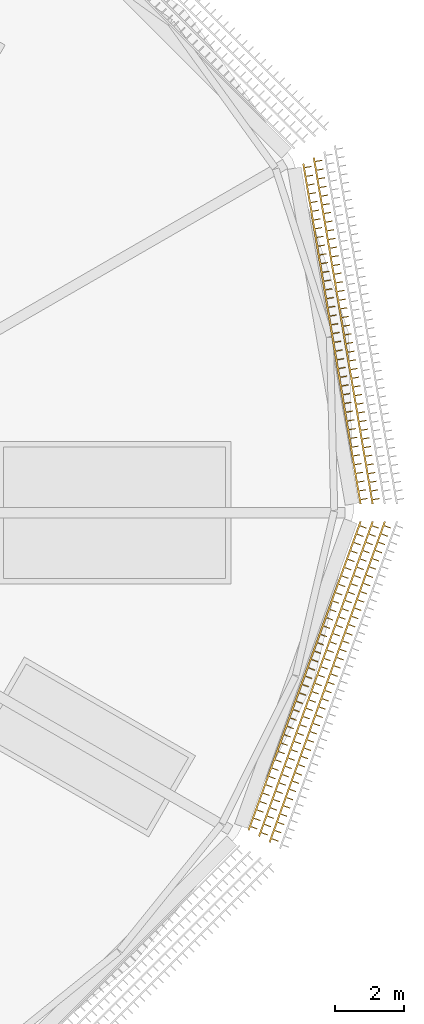
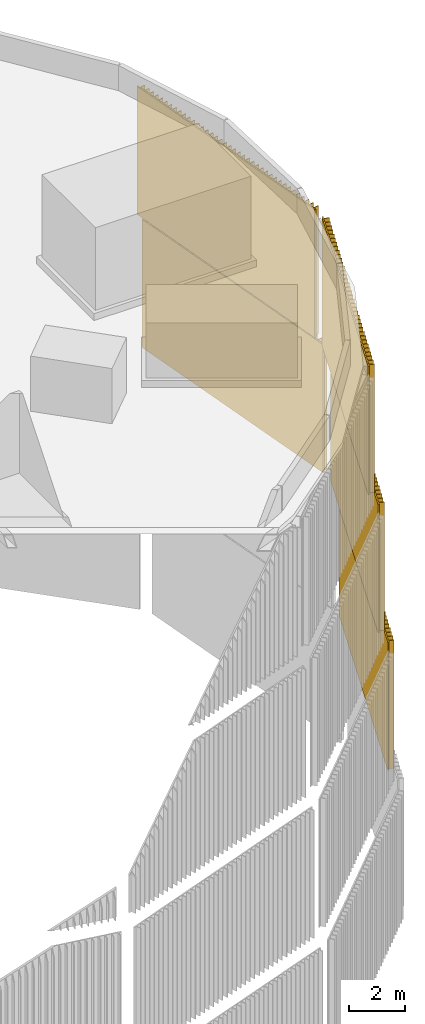
# One storey, part 18 of 24: 5 coverings.
"""IFC4 building model written with IfcOpenShell, lengths in metres."""

from ifc_helpers import new_model, si_unit, direction, frame, origin, place, context, subcontext, project, spatial, polyline, outline, extrude, material, type_object, element, save


model = new_model("IFC4")

# Units and contexts
model_context = context("Model", 3, precision=1e-05, world=origin(), true_north=direction((0.0, 1.0)))
body_context = subcontext(model_context, "Body", "Model", "MODEL_VIEW")
ifc_project = project(units=[si_unit("LENGTHUNIT", "METRE"), si_unit("AREAUNIT", "SQUARE_METRE"), si_unit("VOLUMEUNIT", "CUBIC_METRE"), si_unit("PLANEANGLEUNIT", "RADIAN"), si_unit("MASSUNIT", "GRAM", prefix="KILO")], contexts=[model_context])

# Site, building, storey
site_placement = place(None, origin())
site = spatial("IfcSite", under=ifc_project, at=site_placement, CompositionType="ELEMENT")
building_placement = place(site_placement, origin())
building = spatial("IfcBuilding", under=site, at=building_placement, Name="Rimbun Link Towers", CompositionType="ELEMENT")
storey_placement = place(building_placement, frame((0.0, 0.0, 294.89990234375)))
storey = spatial("IfcBuildingStorey", under=building, at=storey_placement, Name="Roof cap", CompositionType="ELEMENT", Elevation=294.89990234375)

# Coverings
ifc_material = material(Name="Terracotta", Category="masonry")
covering_type = type_object("IfcCoveringType", Name="TERRACOTTA CLADDING screen fins", PredefinedType="CLADDING", material=ifc_material)
covering_1_placement = place(storey_placement, frame((0.0, 0.0, -17.087890625)))
element("IfcCovering", 1, at=covering_1_placement, inside=storey, type_object=covering_type, Name="TERRACOTTA CLADDING screen", PredefinedType="CLADDING", context=body_context, shape_type="SweptSolid", body=[
    extrude(outline(polyline([(48.739990234375, -9.515869140625), (48.777587890625, -9.411376953125), (48.9658203125, -9.47900390625), (48.97607421875, -9.45068359375), (48.787841796875, -9.383056640625), (48.863037109375, -9.173828125), (49.05126953125, -9.241455078125), (49.061279296875, -9.213134765625), (48.873046875, -9.1455078125), (48.9482421875, -8.936279296875), (49.13671875, -9.00390625), (49.146728515625, -8.9755859375), (48.95849609375, -8.908203125), (49.03369140625, -8.698974609375), (49.221923828125, -8.7666015625), (49.232177734375, -8.73828125), (49.043701171875, -8.670654296875), (49.118896484375, -8.46142578125), (49.307373046875, -8.529052734375), (49.3173828125, -8.500732421875), (49.129150390625, -8.43310546875), (49.204345703125, -8.223876953125), (49.392578125, -8.29150390625), (49.40283203125, -8.26318359375), (49.214599609375, -8.195556640625), (49.289794921875, -7.986328125), (49.47802734375, -8.053955078125), (49.488037109375, -8.02587890625), (49.2998046875, -7.958251953125), (49.375, -7.748779296875), (49.563232421875, -7.81640625), (49.573486328125, -7.788330078125), (49.38525390625, -7.720703125), (49.46044921875, -7.511474609375), (49.648681640625, -7.5791015625), (49.65869140625, -7.55078125), (49.470703125, -7.483154296875), (49.5458984375, -7.27392578125), (49.73388671875, -7.341552734375), (49.744140625, -7.313232421875), (49.555908203125, -7.24560546875), (49.631103515625, -7.03662109375), (49.8193359375, -7.10400390625), (49.82958984375, -7.075927734375), (49.641357421875, -7.00830078125), (49.716552734375, -6.799072265625), (49.90478515625, -6.86669921875), (49.914794921875, -6.83837890625), (49.7265625, -6.770751953125), (49.8017578125, -6.5615234375), (49.989990234375, -6.629150390625), (50.000244140625, -6.600830078125), (49.81201171875, -6.533203125), (49.88720703125, -6.323974609375), (50.075439453125, -6.3916015625), (50.08544921875, -6.36328125), (49.897216796875, -6.2958984375), (49.972412109375, -6.08642578125), (50.16064453125, -6.154296875), (50.1708984375, -6.1259765625), (49.982666015625, -6.058349609375), (50.057861328125, -5.84912109375), (50.24609375, -5.916748046875), (50.256103515625, -5.888427734375), (50.068115234375, -5.82080078125), (50.143310546875, -5.611572265625), (50.331298828125, -5.67919921875), (50.341552734375, -5.65087890625), (50.1533203125, -5.583251953125), (50.228515625, -5.3740234375), (50.416748046875, -5.441650390625), (50.427001953125, -5.41357421875), (50.23876953125, -5.345703125), (50.31396484375, -5.13671875), (50.502197265625, -5.2041015625), (50.51220703125, -5.176025390625), (50.32421875, -5.1083984375), (50.3994140625, -4.899169921875), (50.58740234375, -4.966796875), (50.59765625, -4.9384765625), (50.409423828125, -4.870849609375), (50.484619140625, -4.66162109375), (50.6728515625, -4.729248046875), (50.68310546875, -4.700927734375), (50.494873046875, -4.63330078125), (50.570068359375, -4.424072265625), (50.75830078125, -4.49169921875), (50.768310546875, -4.46337890625), (50.580078125, -4.39599609375), (50.6552734375, -4.1865234375), (50.843505859375, -4.25439453125), (50.853759765625, -4.22607421875), (50.66552734375, -4.158447265625), (50.74072265625, -3.94921875), (50.928955078125, -4.016845703125), (50.93896484375, -3.988525390625), (50.750732421875, -3.9208984375), (50.825927734375, -3.711669921875), (51.01416015625, -3.779296875), (51.0244140625, -3.751220703125), (50.836181640625, -3.683349609375), (50.911376953125, -3.47412109375), (51.099609375, -3.541748046875), (51.109619140625, -3.513671875), (50.92138671875, -3.44580078125), (50.99658203125, -3.23681640625), (51.184814453125, -3.30419921875), (51.195068359375, -3.276123046875), (51.0068359375, -3.20849609375), (51.08203125, -2.999267578125), (51.270263671875, -3.06689453125), (51.280517578125, -3.03857421875), (51.09228515625, -2.970947265625), (51.16748046875, -2.76171875), (51.355712890625, -2.829345703125), (51.36572265625, -2.801025390625), (51.177490234375, -2.7333984375), (51.252685546875, -2.524169921875), (51.44091796875, -2.591796875), (51.451171875, -2.563720703125), (51.262939453125, -2.49609375), (51.338134765625, -2.28662109375), (51.5263671875, -2.3544921875), (51.53662109375, -2.326171875), (51.34814453125, -2.258544921875), (51.42333984375, -2.04931640625), (51.61181640625, -2.116943359375), (51.621826171875, -2.088623046875), (51.43359375, -2.02099609375), (51.5087890625, -1.811767578125), (51.697021484375, -1.87939453125), (51.707275390625, -1.851318359375), (51.518798828125, -1.783447265625), (51.593994140625, -1.57421875), (51.782470703125, -1.641845703125), (51.79248046875, -1.61376953125), (51.604248046875, -1.546142578125), (51.679443359375, -1.3369140625), (51.86767578125, -1.404296875), (51.8779296875, -1.376220703125), (51.689697265625, -1.30859375), (51.764892578125, -1.099365234375), (51.953125, -1.1669921875), (51.963134765625, -1.138671875), (51.77490234375, -1.071044921875), (51.85009765625, -0.86181640625), (52.038330078125, -0.929443359375), (52.048583984375, -0.901123046875), (51.8603515625, -0.83349609375), (51.935546875, -0.624267578125), (52.123779296875, -0.69189453125), (52.1337890625, -0.663818359375), (51.94580078125, -0.59619140625), (52.02099609375, -0.386962890625), (52.208984375, -0.45458984375), (52.21923828125, -0.42626953125), (52.031005859375, -0.358642578125), (52.068603515625, -0.25390625), (52.015380859375, -0.25390625), (48.696044921875, -9.490478515625), (48.739990234375, -9.515869140625)])), origin(), (0.0, 0.0, 1.0), 5.575927734375),
])
covering_2_placement = place(storey_placement, frame((0.0, 0.0, -11.087890625)))
element("IfcCovering", 2, at=covering_2_placement, inside=storey, type_object=covering_type, Name="TERRACOTTA CLADDING screen", PredefinedType="CLADDING", context=body_context, shape_type="SweptSolid", body=[
    extrude(outline(polyline([(48.43701171875, -9.3408203125), (48.47509765625, -9.235595703125), (48.6630859375, -9.303466796875), (48.67333984375, -9.275146484375), (48.485107421875, -9.207275390625), (48.561279296875, -8.996337890625), (48.74951171875, -9.064208984375), (48.759765625, -9.0361328125), (48.571533203125, -8.968017578125), (48.647705078125, -8.757080078125), (48.8359375, -8.8251953125), (48.845947265625, -8.796875), (48.657958984375, -8.72900390625), (48.734130859375, -8.51806640625), (48.922119140625, -8.5859375), (48.932373046875, -8.557861328125), (48.744384765625, -8.489990234375), (48.820556640625, -8.279052734375), (49.008544921875, -8.346923828125), (49.018798828125, -8.318603515625), (48.830810546875, -8.250732421875), (48.90673828125, -8.039794921875), (49.094970703125, -8.10791015625), (49.10498046875, -8.07958984375), (48.9169921875, -8.01171875), (48.9931640625, -7.80078125), (49.181396484375, -7.86865234375), (49.19140625, -7.84033203125), (49.00341796875, -7.7724609375), (49.07958984375, -7.5615234375), (49.267578125, -7.62939453125), (49.27783203125, -7.601318359375), (49.089599609375, -7.533203125), (49.166015625, -7.322509765625), (49.35400390625, -7.390380859375), (49.3642578125, -7.3623046875), (49.176025390625, -7.294189453125), (49.252197265625, -7.083251953125), (49.4404296875, -7.151123046875), (49.45068359375, -7.123046875), (49.262451171875, -7.05517578125), (49.338623046875, -6.84423828125), (49.526611328125, -6.912109375), (49.536865234375, -6.8837890625), (49.348876953125, -6.81591796875), (49.425048828125, -6.60498046875), (49.613037109375, -6.673095703125), (49.623291015625, -6.644775390625), (49.435302734375, -6.576904296875), (49.511474609375, -6.365966796875), (49.699462890625, -6.433837890625), (49.709716796875, -6.405517578125), (49.521484375, -6.337646484375), (49.59765625, -6.126708984375), (49.785888671875, -6.194580078125), (49.7958984375, -6.16650390625), (49.60791015625, -6.0986328125), (49.68408203125, -5.8876953125), (49.872314453125, -5.95556640625), (49.88232421875, -5.927490234375), (49.6943359375, -5.859375), (49.7705078125, -5.6484375), (49.95849609375, -5.716552734375), (49.96875, -5.688232421875), (49.780517578125, -5.620361328125), (49.856689453125, -5.409423828125), (50.044921875, -5.477294921875), (50.05517578125, -5.44921875), (49.866943359375, -5.381103515625), (49.943115234375, -5.17041015625), (50.13134765625, -5.23828125), (50.1416015625, -5.2099609375), (49.953369140625, -5.14208984375), (50.029541015625, -4.93115234375), (50.217529296875, -4.9990234375), (50.227783203125, -4.970947265625), (50.039794921875, -4.90283203125), (50.115966796875, -4.69189453125), (50.303955078125, -4.760009765625), (50.314208984375, -4.731689453125), (50.126220703125, -4.663818359375), (50.2021484375, -4.452880859375), (50.390380859375, -4.520751953125), (50.400390625, -4.49267578125), (50.21240234375, -4.4248046875), (50.28857421875, -4.213623046875), (50.476806640625, -4.28173828125), (50.48681640625, -4.25341796875), (50.298828125, -4.185546875), (50.375, -3.974609375), (50.56298828125, -4.04248046875), (50.5732421875, -4.014404296875), (50.38525390625, -3.9462890625), (50.461181640625, -3.735595703125), (50.6494140625, -3.803466796875), (50.65966796875, -3.775146484375), (50.471435546875, -3.707275390625), (50.547607421875, -3.496337890625), (50.73583984375, -3.564208984375), (50.74609375, -3.5361328125), (50.557861328125, -3.468017578125), (50.634033203125, -3.257080078125), (50.822265625, -3.3251953125), (50.83251953125, -3.296875), (50.644287109375, -3.22900390625), (50.720458984375, -3.01806640625), (50.908447265625, -3.0859375), (50.918701171875, -3.057861328125), (50.730712890625, -2.989990234375), (50.806884765625, -2.779052734375), (50.994873046875, -2.846923828125), (51.005126953125, -2.818603515625), (50.81689453125, -2.750732421875), (50.89306640625, -2.539794921875), (51.081298828125, -2.60791015625), (51.09130859375, -2.57958984375), (50.9033203125, -2.51171875), (50.9794921875, -2.30078125), (51.16748046875, -2.36865234375), (51.177734375, -2.34033203125), (50.98974609375, -2.2724609375), (51.06591796875, -2.0615234375), (51.25390625, -2.12939453125), (51.26416015625, -2.101318359375), (51.075927734375, -2.033447265625), (51.152099609375, -1.822509765625), (51.34033203125, -1.890380859375), (51.3505859375, -1.8623046875), (51.162353515625, -1.794189453125), (51.238525390625, -1.583251953125), (51.4267578125, -1.6513671875), (51.43701171875, -1.623046875), (51.248779296875, -1.55517578125), (51.324951171875, -1.34423828125), (51.512939453125, -1.412109375), (51.523193359375, -1.3837890625), (51.335205078125, -1.31591796875), (51.411376953125, -1.10498046875), (51.599365234375, -1.173095703125), (51.609619140625, -1.144775390625), (51.42138671875, -1.076904296875), (51.497802734375, -0.865966796875), (51.685791015625, -0.933837890625), (51.696044921875, -0.90576171875), (51.5078125, -0.837646484375), (51.583984375, -0.626708984375), (51.772216796875, -0.694580078125), (51.7822265625, -0.66650390625), (51.59423828125, -0.5986328125), (51.67041015625, -0.3876953125), (51.8583984375, -0.45556640625), (51.86865234375, -0.427490234375), (51.6806640625, -0.359619140625), (51.71875, -0.25390625), (51.66552734375, -0.25390625), (48.39306640625, -9.3154296875), (48.43701171875, -9.3408203125)])), origin(), (0.0, 0.0, 1.0), 5.575927734375),
])
covering_3_placement = place(storey_placement, frame((0.0, 0.0, -11.087890625)))
element("IfcCovering", 3, at=covering_3_placement, inside=storey, type_object=covering_type, Name="TERRACOTTA CLADDING screen", PredefinedType="CLADDING", context=body_context, shape_type="SweptSolid", body=[
    extrude(outline(polyline([(51.71630859375, 0.25390625), (51.697509765625, 0.3642578125), (51.894775390625, 0.397705078125), (51.8896484375, 0.42724609375), (51.6923828125, 0.393798828125), (51.655029296875, 0.6142578125), (51.852294921875, 0.647705078125), (51.84716796875, 0.67724609375), (51.64990234375, 0.643798828125), (51.612548828125, 0.8642578125), (51.809814453125, 0.897705078125), (51.8046875, 0.92724609375), (51.607421875, 0.893798828125), (51.570068359375, 1.1142578125), (51.767333984375, 1.147705078125), (51.76220703125, 1.17724609375), (51.565185546875, 1.143798828125), (51.527587890625, 1.3642578125), (51.724853515625, 1.397705078125), (51.7197265625, 1.42724609375), (51.522705078125, 1.393798828125), (51.485107421875, 1.6142578125), (51.682373046875, 1.647705078125), (51.67724609375, 1.67724609375), (51.480224609375, 1.643798828125), (51.442626953125, 1.864013671875), (51.639892578125, 1.897705078125), (51.635009765625, 1.92724609375), (51.437744140625, 1.893798828125), (51.400390625, 2.114013671875), (51.597412109375, 2.147705078125), (51.59228515625, 2.17724609375), (51.395263671875, 2.143798828125), (51.35791015625, 2.364013671875), (51.554931640625, 2.397705078125), (51.550048828125, 2.42724609375), (51.352783203125, 2.393798828125), (51.315185546875, 2.614013671875), (51.512451171875, 2.647705078125), (51.507568359375, 2.67724609375), (51.310302734375, 2.643798828125), (51.27294921875, 2.864013671875), (51.47021484375, 2.897705078125), (51.465087890625, 2.92724609375), (51.267822265625, 2.893798828125), (51.23046875, 3.114013671875), (51.427490234375, 3.147705078125), (51.422607421875, 3.17724609375), (51.225341796875, 3.143798828125), (51.18798828125, 3.364013671875), (51.385009765625, 3.397705078125), (51.380126953125, 3.42724609375), (51.182861328125, 3.393798828125), (51.1455078125, 3.614013671875), (51.3427734375, 3.647705078125), (51.337646484375, 3.677001953125), (51.140380859375, 3.643798828125), (51.10302734375, 3.864013671875), (51.30029296875, 3.897705078125), (51.295166015625, 3.927001953125), (51.097900390625, 3.8935546875), (51.060546875, 4.114013671875), (51.2578125, 4.1474609375), (51.252685546875, 4.177001953125), (51.055419921875, 4.1435546875), (51.01806640625, 4.364013671875), (51.21533203125, 4.3974609375), (51.210205078125, 4.427001953125), (51.01318359375, 4.3935546875), (50.9755859375, 4.614013671875), (51.1728515625, 4.6474609375), (51.167724609375, 4.677001953125), (50.970703125, 4.6435546875), (50.93310546875, 4.864013671875), (51.13037109375, 4.8974609375), (51.125244140625, 4.927001953125), (50.92822265625, 4.8935546875), (50.890625, 5.114013671875), (51.087890625, 5.1474609375), (51.0830078125, 5.177001953125), (50.8857421875, 5.1435546875), (50.848388671875, 5.364013671875), (51.04541015625, 5.3974609375), (51.040283203125, 5.427001953125), (50.84326171875, 5.3935546875), (50.805908203125, 5.614013671875), (51.0029296875, 5.6474609375), (50.997802734375, 5.677001953125), (50.80078125, 5.6435546875), (50.76318359375, 5.864013671875), (50.96044921875, 5.8974609375), (50.95556640625, 5.927001953125), (50.75830078125, 5.8935546875), (50.720947265625, 6.114013671875), (50.91796875, 6.1474609375), (50.9130859375, 6.177001953125), (50.7158203125, 6.1435546875), (50.678466796875, 6.364013671875), (50.87548828125, 6.3974609375), (50.87060546875, 6.427001953125), (50.67333984375, 6.3935546875), (50.635986328125, 6.614013671875), (50.8330078125, 6.6474609375), (50.828125, 6.677001953125), (50.630859375, 6.6435546875), (50.593505859375, 6.864013671875), (50.790771484375, 6.8974609375), (50.78564453125, 6.927001953125), (50.58837890625, 6.8935546875), (50.551025390625, 7.114013671875), (50.748291015625, 7.1474609375), (50.7431640625, 7.177001953125), (50.5458984375, 7.1435546875), (50.508544921875, 7.364013671875), (50.705810546875, 7.3974609375), (50.70068359375, 7.427001953125), (50.50341796875, 7.3935546875), (50.466064453125, 7.614013671875), (50.663330078125, 7.6474609375), (50.658203125, 7.677001953125), (50.461181640625, 7.6435546875), (50.423583984375, 7.864013671875), (50.620849609375, 7.8974609375), (50.61572265625, 7.927001953125), (50.418701171875, 7.8935546875), (50.381103515625, 8.114013671875), (50.578369140625, 8.1474609375), (50.5732421875, 8.177001953125), (50.376220703125, 8.1435546875), (50.338623046875, 8.364013671875), (50.535888671875, 8.3974609375), (50.531005859375, 8.427001953125), (50.333740234375, 8.3935546875), (50.29638671875, 8.614013671875), (50.493408203125, 8.6474609375), (50.48828125, 8.677001953125), (50.291259765625, 8.643310546875), (50.25390625, 8.864013671875), (50.450927734375, 8.8974609375), (50.44580078125, 8.927001953125), (50.248779296875, 8.893310546875), (50.211181640625, 9.114013671875), (50.408447265625, 9.147216796875), (50.403564453125, 9.177001953125), (50.206298828125, 9.143310546875), (50.1689453125, 9.36376953125), (50.365966796875, 9.397216796875), (50.361083984375, 9.427001953125), (50.163818359375, 9.393310546875), (50.12646484375, 9.61376953125), (50.323486328125, 9.647216796875), (50.318603515625, 9.677001953125), (50.121337890625, 9.643310546875), (50.083984375, 9.86376953125), (50.281005859375, 9.897216796875), (50.276123046875, 9.927001953125), (50.078857421875, 9.893310546875), (50.04150390625, 10.11376953125), (50.23876953125, 10.147216796875), (50.233642578125, 10.177001953125), (50.03662109375, 10.143310546875), (50.017578125, 10.253662109375), (49.9716796875, 10.226806640625), (51.66552734375, 0.25390625), (51.71630859375, 0.25390625)])), origin(), (0.0, 0.0, 1.0), 5.575927734375),
])
covering_4_placement = place(storey_placement, frame((0.0, 0.0, -5.087890625)))
element("IfcCovering", 4, at=covering_4_placement, inside=storey, type_object=covering_type, Name="TERRACOTTA CLADDING screen", PredefinedType="CLADDING", context=body_context, shape_type="SweptSolid", body=[
    extrude(outline(polyline([(48.1337890625, -9.166015625), (48.17236328125, -9.0595703125), (48.3603515625, -9.127685546875), (48.37060546875, -9.099609375), (48.1826171875, -9.031494140625), (48.260009765625, -8.818603515625), (48.44775390625, -8.886962890625), (48.4580078125, -8.85888671875), (48.27001953125, -8.79052734375), (48.347412109375, -8.577880859375), (48.535400390625, -8.64599609375), (48.54541015625, -8.617919921875), (48.357421875, -8.5498046875), (48.434814453125, -8.3369140625), (48.622802734375, -8.4052734375), (48.6328125, -8.376953125), (48.44482421875, -8.308837890625), (48.522216796875, -8.09619140625), (48.710205078125, -8.164306640625), (48.720458984375, -8.13623046875), (48.532470703125, -8.06787109375), (48.609619140625, -7.855224609375), (48.797607421875, -7.923583984375), (48.807861328125, -7.895263671875), (48.619873046875, -7.8271484375), (48.697021484375, -7.614501953125), (48.885009765625, -7.6826171875), (48.895263671875, -7.654541015625), (48.707275390625, -7.586181640625), (48.784423828125, -7.37353515625), (48.972412109375, -7.44189453125), (48.982666015625, -7.41357421875), (48.794677734375, -7.34521484375), (48.871826171875, -7.1328125), (49.059814453125, -7.200927734375), (49.070068359375, -7.172607421875), (48.882080078125, -7.1044921875), (48.959228515625, -6.891845703125), (49.147216796875, -6.960205078125), (49.157470703125, -6.931884765625), (48.969482421875, -6.863525390625), (49.046630859375, -6.65087890625), (49.234619140625, -6.71923828125), (49.244873046875, -6.69091796875), (49.056884765625, -6.622802734375), (49.134033203125, -6.41015625), (49.322021484375, -6.478271484375), (49.33251953125, -6.4501953125), (49.144287109375, -6.3818359375), (49.2216796875, -6.169189453125), (49.40966796875, -6.237548828125), (49.419921875, -6.209228515625), (49.231689453125, -6.14111328125), (49.30908203125, -5.928466796875), (49.4970703125, -5.99658203125), (49.507080078125, -5.968505859375), (49.319091796875, -5.900146484375), (49.396484375, -5.6875), (49.58447265625, -5.755859375), (49.5947265625, -5.7275390625), (49.40673828125, -5.6591796875), (49.48388671875, -5.446533203125), (49.671875, -5.514892578125), (49.68212890625, -5.48681640625), (49.494140625, -5.41845703125), (49.5712890625, -5.205810546875), (49.75927734375, -5.27392578125), (49.76953125, -5.245849609375), (49.58154296875, -5.177490234375), (49.65869140625, -4.96484375), (49.8466796875, -5.033203125), (49.85693359375, -5.0048828125), (49.6689453125, -4.936767578125), (49.74609375, -4.72412109375), (49.93408203125, -4.792236328125), (49.9443359375, -4.76416015625), (49.75634765625, -4.69580078125), (49.83349609375, -4.483154296875), (50.021484375, -4.551513671875), (50.03173828125, -4.523193359375), (49.84375, -4.455078125), (49.9208984375, -4.2421875), (50.10888671875, -4.310546875), (50.119140625, -4.282470703125), (49.93115234375, -4.214111328125), (50.00830078125, -4.00146484375), (50.1962890625, -4.069580078125), (50.206787109375, -4.04150390625), (50.018798828125, -3.973388671875), (50.095947265625, -3.760498046875), (50.283935546875, -3.828857421875), (50.294189453125, -3.800537109375), (50.106201171875, -3.732421875), (50.183349609375, -3.519775390625), (50.371337890625, -3.587890625), (50.381591796875, -3.559814453125), (50.193603515625, -3.491455078125), (50.270751953125, -3.27880859375), (50.458740234375, -3.34716796875), (50.468994140625, -3.31884765625), (50.281005859375, -3.250732421875), (50.358154296875, -3.0380859375), (50.546142578125, -3.106201171875), (50.556396484375, -3.078125), (50.368408203125, -3.009765625), (50.445556640625, -2.797119140625), (50.633544921875, -2.865478515625), (50.643798828125, -2.837158203125), (50.455810546875, -2.76904296875), (50.532958984375, -2.556396484375), (50.720947265625, -2.62451171875), (50.731201171875, -2.59619140625), (50.543212890625, -2.528076171875), (50.620361328125, -2.3154296875), (50.808349609375, -2.3837890625), (50.818603515625, -2.35546875), (50.630615234375, -2.287109375), (50.7080078125, -2.07470703125), (50.89599609375, -2.142822265625), (50.906005859375, -2.114501953125), (50.718017578125, -2.04638671875), (50.79541015625, -1.833740234375), (50.9833984375, -1.90185546875), (50.993408203125, -1.873779296875), (50.805419921875, -1.805419921875), (50.8828125, -1.5927734375), (51.07080078125, -1.6611328125), (51.080810546875, -1.6328125), (50.89306640625, -1.564697265625), (50.97021484375, -1.35205078125), (51.158203125, -1.420166015625), (51.16845703125, -1.39208984375), (50.98046875, -1.32373046875), (51.0576171875, -1.111083984375), (51.24560546875, -1.179443359375), (51.255859375, -1.151123046875), (51.06787109375, -1.0830078125), (51.14501953125, -0.870361328125), (51.3330078125, -0.9384765625), (51.34326171875, -0.910400390625), (51.1552734375, -0.842041015625), (51.232421875, -0.62939453125), (51.42041015625, -0.697509765625), (51.4306640625, -0.66943359375), (51.24267578125, -0.601318359375), (51.31982421875, -0.388427734375), (51.5078125, -0.456787109375), (51.51806640625, -0.4287109375), (51.330078125, -0.3603515625), (51.36865234375, -0.25390625), (51.3154296875, -0.25390625), (48.08984375, -9.140380859375), (48.1337890625, -9.166015625)])), origin(), (0.0, 0.0, 1.0), 5.575927734375),
])
covering_5_placement = place(storey_placement, frame((0.0, 0.0, -5.087890625)))
element("IfcCovering", 5, at=covering_5_placement, inside=storey, type_object=covering_type, Name="TERRACOTTA CLADDING screen", PredefinedType="CLADDING", context=body_context, shape_type="SweptSolid", body=[
    extrude(outline(polyline([(51.3662109375, 0.25390625), (51.347412109375, 0.365234375), (51.544677734375, 0.398193359375), (51.539794921875, 0.427978515625), (51.342529296875, 0.394775390625), (51.30517578125, 0.6171875), (51.50244140625, 0.650146484375), (51.497314453125, 0.6796875), (51.30029296875, 0.646728515625), (51.2626953125, 0.868896484375), (51.460205078125, 0.902099609375), (51.455078125, 0.931640625), (51.2578125, 0.898681640625), (51.220458984375, 1.120849609375), (51.417724609375, 1.154052734375), (51.41259765625, 1.18359375), (51.215576171875, 1.150390625), (51.177978515625, 1.372802734375), (51.37548828125, 1.406005859375), (51.370361328125, 1.435546875), (51.173095703125, 1.40234375), (51.1357421875, 1.624755859375), (51.3330078125, 1.657958984375), (51.327880859375, 1.6875), (51.130859375, 1.654296875), (51.093505859375, 1.876708984375), (51.290771484375, 1.909912109375), (51.28564453125, 1.939453125), (51.08837890625, 1.90625), (51.051025390625, 2.128662109375), (51.248291015625, 2.16162109375), (51.243408203125, 2.19140625), (51.046142578125, 2.158203125), (51.0087890625, 2.380615234375), (51.2060546875, 2.41357421875), (51.200927734375, 2.443115234375), (51.00390625, 2.41015625), (50.96630859375, 2.63232421875), (51.16357421875, 2.66552734375), (51.15869140625, 2.695068359375), (50.96142578125, 2.662109375), (50.924072265625, 2.88427734375), (51.121337890625, 2.91748046875), (51.1162109375, 2.947021484375), (50.919189453125, 2.913818359375), (50.881591796875, 3.13623046875), (51.078857421875, 3.16943359375), (51.073974609375, 3.198974609375), (50.876708984375, 3.165771484375), (50.83935546875, 3.38818359375), (51.03662109375, 3.42138671875), (51.031494140625, 3.450927734375), (50.83447265625, 3.417724609375), (50.797119140625, 3.639892578125), (50.994140625, 3.673095703125), (50.9892578125, 3.702880859375), (50.7919921875, 3.669677734375), (50.754638671875, 3.891845703125), (50.951904296875, 3.925048828125), (50.947021484375, 3.95458984375), (50.749755859375, 3.92138671875), (50.71240234375, 4.143798828125), (50.909423828125, 4.177001953125), (50.904541015625, 4.20654296875), (50.707275390625, 4.17333984375), (50.669921875, 4.395751953125), (50.8671875, 4.428955078125), (50.8623046875, 4.45849609375), (50.6650390625, 4.42529296875), (50.627685546875, 4.647705078125), (50.82470703125, 4.680908203125), (50.81982421875, 4.71044921875), (50.62255859375, 4.67724609375), (50.585205078125, 4.899658203125), (50.782470703125, 4.932861328125), (50.777587890625, 4.96240234375), (50.580322265625, 4.92919921875), (50.54296875, 5.151611328125), (50.740234375, 5.184814453125), (50.735107421875, 5.21435546875), (50.537841796875, 5.18115234375), (50.50048828125, 5.4033203125), (50.69775390625, 5.4365234375), (50.69287109375, 5.46630859375), (50.49560546875, 5.43310546875), (50.458251953125, 5.6552734375), (50.655517578125, 5.6884765625), (50.650390625, 5.718017578125), (50.453369140625, 5.684814453125), (50.416015625, 5.9072265625), (50.613037109375, 5.9404296875), (50.608154296875, 5.969970703125), (50.410888671875, 5.936767578125), (50.37353515625, 6.1591796875), (50.57080078125, 6.1923828125), (50.56591796875, 6.221923828125), (50.36865234375, 6.188720703125), (50.331298828125, 6.4111328125), (50.5283203125, 6.444091796875), (50.5234375, 6.473876953125), (50.326171875, 6.440673828125), (50.288818359375, 6.6630859375), (50.486083984375, 6.696044921875), (50.481201171875, 6.7255859375), (50.283935546875, 6.692626953125), (50.24658203125, 6.914794921875), (50.443603515625, 6.947998046875), (50.438720703125, 6.9775390625), (50.241455078125, 6.944580078125), (50.2041015625, 7.166748046875), (50.4013671875, 7.199951171875), (50.396484375, 7.2294921875), (50.19921875, 7.1962890625), (50.161865234375, 7.418701171875), (50.35888671875, 7.451904296875), (50.35400390625, 7.4814453125), (50.15673828125, 7.4482421875), (50.119384765625, 7.670654296875), (50.316650390625, 7.703857421875), (50.311767578125, 7.7333984375), (50.114501953125, 7.7001953125), (50.0771484375, 7.922607421875), (50.2744140625, 7.955810546875), (50.269287109375, 7.9853515625), (50.072021484375, 7.9521484375), (50.034912109375, 8.174560546875), (50.23193359375, 8.20751953125), (50.22705078125, 8.2373046875), (50.02978515625, 8.2041015625), (49.992431640625, 8.426513671875), (50.189697265625, 8.45947265625), (50.184814453125, 8.489013671875), (49.9873046875, 8.4560546875), (49.9501953125, 8.67822265625), (50.147216796875, 8.71142578125), (50.142333984375, 8.740966796875), (49.945068359375, 8.7080078125), (49.90771484375, 8.93017578125), (50.10498046875, 8.96337890625), (50.10009765625, 8.992919921875), (49.902587890625, 8.959716796875), (49.865478515625, 9.18212890625), (50.0625, 9.21533203125), (50.0576171875, 9.244873046875), (49.8603515625, 9.211669921875), (49.822998046875, 9.43408203125), (50.020263671875, 9.46728515625), (50.015380859375, 9.496826171875), (49.818115234375, 9.463623046875), (49.78076171875, 9.68603515625), (49.977783203125, 9.718994140625), (49.972900390625, 9.748779296875), (49.775634765625, 9.715576171875), (49.73828125, 9.93798828125), (49.935546875, 9.970947265625), (49.9306640625, 10.00048828125), (49.7333984375, 9.96728515625), (49.714599609375, 10.07861328125), (49.66845703125, 10.052001953125), (51.3154296875, 0.25390625), (51.3662109375, 0.25390625)])), origin(), (0.0, 0.0, 1.0), 5.575927734375),
])

save(model, "model.ifc")
